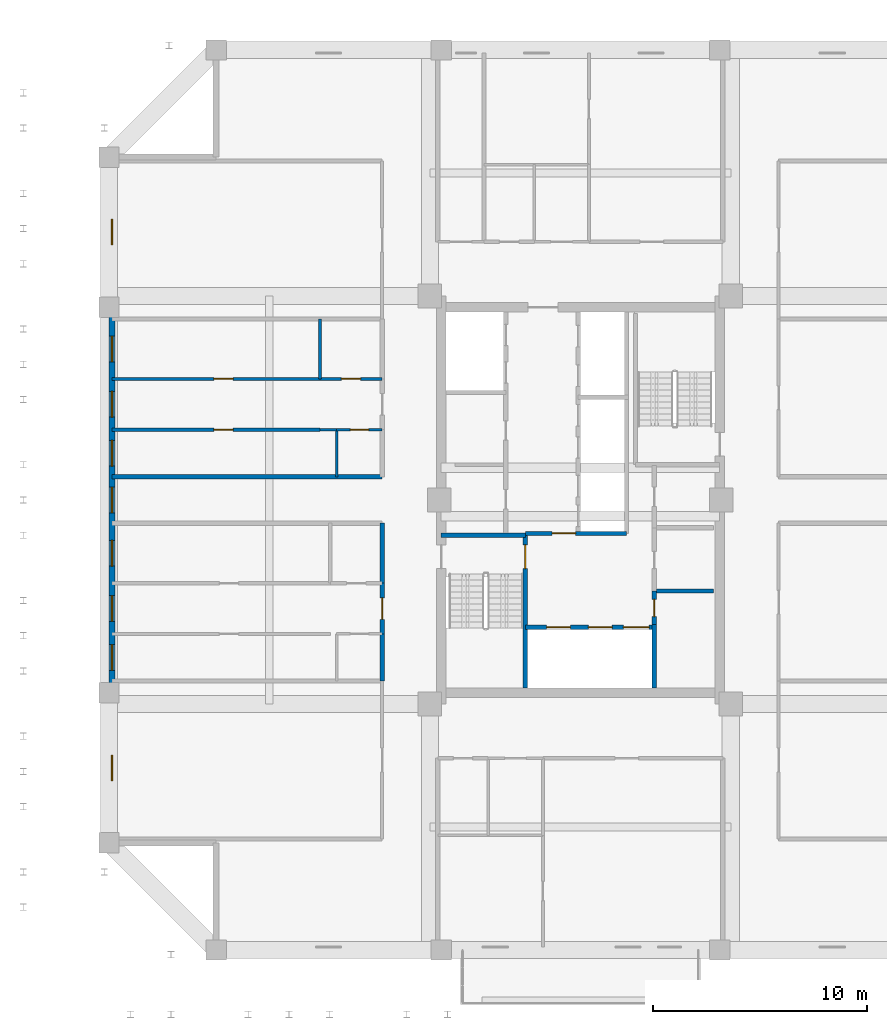
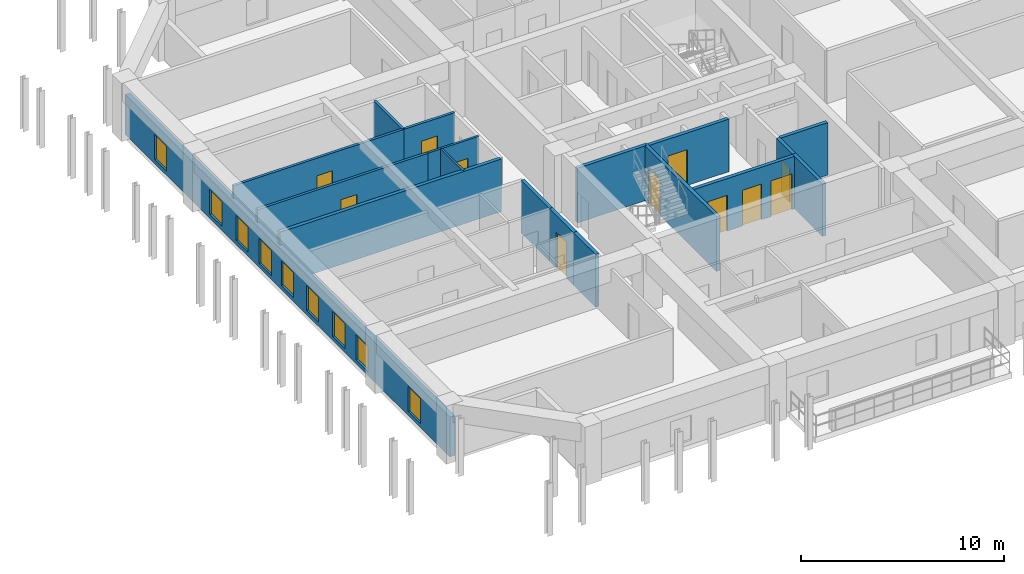
# One storey, part 8 of 13: 19 walls, 11 doors, 9 windows, 20 openings.
"""IFC4 building model written with IfcOpenShell, lengths in metres."""

from ifc_helpers import new_model, si_unit, direction, frame, frame_2d, origin, place, context, subcontext, project, spatial, rectangle, extrude, source, transform, mapped, material, layer, layer_set, type_object, element, fill, save


model = new_model("IFC4")

# Units and contexts
model_context = context("Model", 3, precision=1e-05, world=origin(), true_north=direction((0.0, 1.0)))
body_context = subcontext(model_context, "Body", "Model", "MODEL_VIEW")
ifc_project = project(units=[si_unit("LENGTHUNIT", "METRE"), si_unit("AREAUNIT", "SQUARE_METRE"), si_unit("VOLUMEUNIT", "CUBIC_METRE"), si_unit("PLANEANGLEUNIT", "RADIAN"), si_unit("MASSUNIT", "GRAM", prefix="KILO")], contexts=[model_context])

# Site, building, storey
site_placement = place(None, origin())
site = spatial("IfcSite", under=ifc_project, at=site_placement, CompositionType="ELEMENT")
building_placement = place(site_placement, origin())
building = spatial("IfcBuilding", under=site, at=building_placement, Name="Saelheon Loggia Tower", CompositionType="ELEMENT")
storey_placement = place(building_placement, frame((0.0, 0.0, 148.699951171875)))
storey = spatial("IfcBuildingStorey", under=building, at=storey_placement, Name="L47", CompositionType="ELEMENT", Elevation=148.699951171875)

# Wall, openings, windows
ifc_material_1 = material(Name="Architectural Precast Concrete C40/50", Category="concrete")
ifc_layer_1 = layer(ifc_material_1, 0.280029296875)
ifc_layer_set_1 = layer_set([ifc_layer_1], Name="Architectural Precast Concrete C40/50")
wall_type_1 = type_object("IfcWallType", Name="Wall_Ext_Loggia_280", PredefinedType="SOLIDWALL", material=ifc_layer_set_1)
wall_1_placement = place(storey_placement, frame((16.139892578125, 11.0, 0.0), z_axis=(0.0, 0.0, 1.0), x_axis=(0.0, 1.0, 0.0)))
wall_1 = element("IfcWall", 1, at=wall_1_placement, inside=storey, type_object=wall_type_1, Name="L47 West Loggia Inner Wall", PredefinedType="SOLIDWALL", context=body_context, shape_type="SweptSolid", body=[
    extrude(rectangle(XDim=32.0, YDim=0.280029296875, at=frame_2d((16.0, 0.0))), origin(), (0.0, 0.0, 1.0), 2.39013671875),
])
opening_1_placement = place(wall_1_placement, frame((2.89990234375, 0.0, 0.25)))
opening_1 = element("IfcOpeningElement", 2, at=opening_1_placement, cuts=wall_1, Name="Opening WN-03", PredefinedType="OPENING", context=body_context, shape_type="SweptSolid", body=[
    extrude(rectangle(XDim=1.199951171875, YDim=1.5, at=frame_2d((0.60009765625, 0.75))), frame((0.0, 0.152099609375, 0.0), z_axis=(0.0, -1.0, 0.0), x_axis=(1.0, 0.0, 0.0)), (0.0, 0.0, 1.0), 0.303955078125),
])
opening_2_placement = place(wall_1_placement, frame((8.050048828125, 0.0, 0.25)))
opening_2 = element("IfcOpeningElement", 3, at=opening_2_placement, cuts=wall_1, Name="Opening WN-03", PredefinedType="OPENING", context=body_context, shape_type="SweptSolid", body=[
    extrude(rectangle(XDim=1.199951171875, YDim=1.5, at=frame_2d((0.60009765625, 0.75))), frame((0.0, 0.152099609375, 0.0), z_axis=(0.0, -1.0, 0.0), x_axis=(1.0, 0.0, 0.0)), (0.0, 0.0, 1.0), 0.303955078125),
])
opening_3_placement = place(wall_1_placement, frame((10.334716796875, 0.0, 0.25)))
opening_3 = element("IfcOpeningElement", 4, at=opening_3_placement, cuts=wall_1, Name="Opening WN-03", PredefinedType="OPENING", context=body_context, shape_type="SweptSolid", body=[
    extrude(rectangle(XDim=1.199951171875, YDim=1.5, at=frame_2d((0.60009765625, 0.75))), frame((0.0, 0.152099609375, 0.0), z_axis=(0.0, -1.0, 0.0), x_axis=(1.0, 0.0, 0.0)), (0.0, 0.0, 1.0), 0.303955078125),
])
opening_4_placement = place(wall_1_placement, frame((12.919677734375, 0.0, 0.25)))
opening_4 = element("IfcOpeningElement", 5, at=opening_4_placement, cuts=wall_1, Name="Opening WN-03", PredefinedType="OPENING", context=body_context, shape_type="SweptSolid", body=[
    extrude(rectangle(XDim=1.199951171875, YDim=1.5, at=frame_2d((0.60009765625, 0.75))), frame((0.0, 0.152099609375, 0.0), z_axis=(0.0, -1.0, 0.0), x_axis=(1.0, 0.0, 0.0)), (0.0, 0.0, 1.0), 0.303955078125),
])
opening_5_placement = place(wall_1_placement, frame((15.39990234375, 0.0, 0.25)))
opening_5 = element("IfcOpeningElement", 6, at=opening_5_placement, cuts=wall_1, Name="Opening WN-03", PredefinedType="OPENING", context=body_context, shape_type="SweptSolid", body=[
    extrude(rectangle(XDim=1.199951171875, YDim=1.5, at=frame_2d((0.60009765625, 0.75))), frame((0.0, 0.152099609375, 0.0), z_axis=(0.0, -1.0, 0.0), x_axis=(1.0, 0.0, 0.0)), (0.0, 0.0, 1.0), 0.303955078125),
])
opening_6_placement = place(wall_1_placement, frame((17.580078125, 0.0, 0.25)))
opening_6 = element("IfcOpeningElement", 7, at=opening_6_placement, cuts=wall_1, Name="Opening WN-03", PredefinedType="OPENING", context=body_context, shape_type="SweptSolid", body=[
    extrude(rectangle(XDim=1.199951171875, YDim=1.5, at=frame_2d((0.60009765625, 0.75))), frame((0.0, 0.152099609375, 0.0), z_axis=(0.0, -1.0, 0.0), x_axis=(1.0, 0.0, 0.0)), (0.0, 0.0, 1.0), 0.303955078125),
])
opening_7_placement = place(wall_1_placement, frame((19.86474609375, 0.0, 0.25)))
opening_7 = element("IfcOpeningElement", 8, at=opening_7_placement, cuts=wall_1, Name="Opening WN-03", PredefinedType="OPENING", context=body_context, shape_type="SweptSolid", body=[
    extrude(rectangle(XDim=1.199951171875, YDim=1.5, at=frame_2d((0.60009765625, 0.75))), frame((0.0, 0.152099609375, 0.0), z_axis=(0.0, -1.0, 0.0), x_axis=(1.0, 0.0, 0.0)), (0.0, 0.0, 1.0), 0.303955078125),
])
opening_8_placement = place(wall_1_placement, frame((22.44970703125, 0.0, 0.25)))
opening_8 = element("IfcOpeningElement", 9, at=opening_8_placement, cuts=wall_1, Name="Opening WN-03", PredefinedType="OPENING", context=body_context, shape_type="SweptSolid", body=[
    extrude(rectangle(XDim=1.199951171875, YDim=1.5, at=frame_2d((0.60009765625, 0.75))), frame((0.0, 0.152099609375, 0.0), z_axis=(0.0, -1.0, 0.0), x_axis=(1.0, 0.0, 0.0)), (0.0, 0.0, 1.0), 0.303955078125),
])
opening_9_placement = place(wall_1_placement, frame((27.89990234375, 0.0, 0.25)))
opening_9 = element("IfcOpeningElement", 10, at=opening_9_placement, cuts=wall_1, Name="Opening WN-03", PredefinedType="OPENING", context=body_context, shape_type="SweptSolid", body=[
    extrude(rectangle(XDim=1.199951171875, YDim=1.5, at=frame_2d((0.60009765625, 0.75))), frame((0.0, 0.152099609375, 0.0), z_axis=(0.0, -1.0, 0.0), x_axis=(1.0, 0.0, 0.0)), (0.0, 0.0, 1.0), 0.303955078125),
])
ifc_material_2 = material(Name="Thermal-Break Aluminium and Triple Low-E Glass", Category="aluminium")
window_type = type_object("IfcWindowType", Name="Win_Bedroom_1200x1500", PartitioningType="SINGLE_PANEL", PredefinedType="WINDOW", material=ifc_material_2)
shared_shape_1 = source(origin(), body_context, "Body", "SweptSolid", [
    extrude(rectangle(XDim=1.199951171875, YDim=1.5, at=frame_2d((0.60009765625, 0.75))), frame((0.0, 0.030029296875, 0.0), z_axis=(0.0, -1.0, 0.0), x_axis=(1.0, 0.0, 0.0)), (0.0, 0.0, 1.0), 0.06005859375),
])
window_1_placement = place(opening_1_placement, origin())
window_1 = element("IfcWindow", 11, at=window_1_placement, inside=storey, type_object=window_type, Name="L47 W Dwelling Window 1", OverallHeight=1.5, OverallWidth=1.199951171875, PartitioningType="SINGLE_PANEL", PredefinedType="WINDOW", context=body_context, shape_type="MappedRepresentation", body=[
    mapped(shared_shape_1, transform((0.0, 0.0, 0.0), scale=1.0)),
])
fill(opening_1, window_1)
window_2_placement = place(opening_2_placement, origin())
window_2 = element("IfcWindow", 12, at=window_2_placement, inside=storey, type_object=window_type, Name="L47 W Dwelling Window 2", OverallHeight=1.5, OverallWidth=1.199951171875, PartitioningType="SINGLE_PANEL", PredefinedType="WINDOW", context=body_context, shape_type="MappedRepresentation", body=[
    mapped(shared_shape_1, transform((0.0, 0.0, 0.0), scale=1.0)),
])
fill(opening_2, window_2)
window_3_placement = place(opening_3_placement, origin())
window_3 = element("IfcWindow", 13, at=window_3_placement, inside=storey, type_object=window_type, Name="L47 W Dwelling Window 3", OverallHeight=1.5, OverallWidth=1.199951171875, PartitioningType="SINGLE_PANEL", PredefinedType="WINDOW", context=body_context, shape_type="MappedRepresentation", body=[
    mapped(shared_shape_1, transform((0.0, 0.0, 0.0), scale=1.0)),
])
fill(opening_3, window_3)
window_4_placement = place(opening_4_placement, origin())
window_4 = element("IfcWindow", 14, at=window_4_placement, inside=storey, type_object=window_type, Name="L47 W Dwelling Window 4", OverallHeight=1.5, OverallWidth=1.199951171875, PartitioningType="SINGLE_PANEL", PredefinedType="WINDOW", context=body_context, shape_type="MappedRepresentation", body=[
    mapped(shared_shape_1, transform((0.0, 0.0, 0.0), scale=1.0)),
])
fill(opening_4, window_4)
window_5_placement = place(opening_5_placement, origin())
window_5 = element("IfcWindow", 15, at=window_5_placement, inside=storey, type_object=window_type, Name="L47 W Dwelling Window 5", OverallHeight=1.5, OverallWidth=1.199951171875, PartitioningType="SINGLE_PANEL", PredefinedType="WINDOW", context=body_context, shape_type="MappedRepresentation", body=[
    mapped(shared_shape_1, transform((0.0, 0.0, 0.0), scale=1.0)),
])
fill(opening_5, window_5)
window_6_placement = place(opening_6_placement, origin())
window_6 = element("IfcWindow", 16, at=window_6_placement, inside=storey, type_object=window_type, Name="L47 W Dwelling Window 6", OverallHeight=1.5, OverallWidth=1.199951171875, PartitioningType="SINGLE_PANEL", PredefinedType="WINDOW", context=body_context, shape_type="MappedRepresentation", body=[
    mapped(shared_shape_1, transform((0.0, 0.0, 0.0), scale=1.0)),
])
fill(opening_6, window_6)
window_7_placement = place(opening_7_placement, origin())
window_7 = element("IfcWindow", 17, at=window_7_placement, inside=storey, type_object=window_type, Name="L47 W Dwelling Window 7", OverallHeight=1.5, OverallWidth=1.199951171875, PartitioningType="SINGLE_PANEL", PredefinedType="WINDOW", context=body_context, shape_type="MappedRepresentation", body=[
    mapped(shared_shape_1, transform((0.0, 0.0, 0.0), scale=1.0)),
])
fill(opening_7, window_7)
window_8_placement = place(opening_8_placement, origin())
window_8 = element("IfcWindow", 18, at=window_8_placement, inside=storey, type_object=window_type, Name="L47 W Dwelling Window 8", OverallHeight=1.5, OverallWidth=1.199951171875, PartitioningType="SINGLE_PANEL", PredefinedType="WINDOW", context=body_context, shape_type="MappedRepresentation", body=[
    mapped(shared_shape_1, transform((0.0, 0.0, 0.0), scale=1.0)),
])
fill(opening_8, window_8)
window_9_placement = place(opening_9_placement, origin())
window_9 = element("IfcWindow", 19, at=window_9_placement, inside=storey, type_object=window_type, Name="L47 W Dwelling Window 9", OverallHeight=1.5, OverallWidth=1.199951171875, PartitioningType="SINGLE_PANEL", PredefinedType="WINDOW", context=body_context, shape_type="MappedRepresentation", body=[
    mapped(shared_shape_1, transform((0.0, 0.0, 0.0), scale=1.0)),
])
fill(opening_9, window_9)

# Wall
ifc_material_3 = material(Name="Lightweight Autoclaved Aerated Concrete Block and Acoustic Gypsum", Category="concrete")
ifc_layer_2 = layer(ifc_material_3, 0.14990234375)
ifc_layer_set_2 = layer_set([ifc_layer_2], Name="Lightweight Autoclaved Aerated Concrete Block and Acoustic Gypsum")
wall_type_2 = type_object("IfcWallType", Name="Wall_Part_150", PredefinedType="PARTITIONING", material=ifc_layer_set_2)
wall_2_placement = place(storey_placement, frame((25.85009765625, 32.6494140625, 0.0), z_axis=(0.0, 0.0, 1.0), x_axis=(0.0, 1.0, 0.0)))
element("IfcWall", 20, at=wall_2_placement, inside=storey, type_object=wall_type_2, Name="L47 WN Partition V07", PredefinedType="PARTITIONING", context=body_context, shape_type="SweptSolid", body=[
    extrude(rectangle(XDim=2.800537109375, YDim=0.14990234375, at=frame_2d((1.400390625, 0.0))), origin(), (0.0, 0.0, 1.0), 3.16015625),
])

# Wall, opening, door
wall_3_placement = place(storey_placement, frame((25.85009765625, 30.280029296875, 0.0), z_axis=(0.0, 0.0, 1.0), x_axis=(-1.0, 0.0, 0.0)))
wall_3 = element("IfcWall", 21, at=wall_3_placement, inside=storey, type_object=wall_type_2, Name="L47 WN Partition U10", PredefinedType="PARTITIONING", context=body_context, shape_type="SweptSolid", body=[
    extrude(rectangle(XDim=9.7001953125, YDim=0.14990234375, at=frame_2d((4.85009765625, 0.0))), origin(), (0.0, 0.0, 1.0), 3.16015625),
])
opening_10_placement = place(wall_3_placement, frame((4.05322265625, 0.0, 0.0)))
opening_10 = element("IfcOpeningElement", 22, at=opening_10_placement, cuts=wall_3, Name="Opening D-IN2", PredefinedType="OPENING", context=body_context, shape_type="SweptSolid", body=[
    extrude(rectangle(XDim=0.89990234375, YDim=2.10009765625, at=frame_2d((0.449951171875, 1.050048828125))), frame((0.0, 0.0869140625, 0.0), z_axis=(0.0, -1.0, 0.0), x_axis=(1.0, 0.0, 0.0)), (0.0, 0.0, 1.0), 0.173828125),
])
ifc_material_4 = material(Name="Engineered Oak Flush Door", Category="timber")
door_type_1 = type_object("IfcDoorType", Name="Door_Int_900", OperationType="NOTDEFINED", PredefinedType="DOOR", material=ifc_material_4)
shared_shape_2 = source(origin(), body_context, "Body", "SweptSolid", [
    extrude(rectangle(XDim=0.89990234375, YDim=2.10009765625, at=frame_2d((0.449951171875, 1.050048828125))), frame((0.0, 0.02490234375, 0.0), z_axis=(0.0, -1.0, 0.0), x_axis=(1.0, 0.0, 0.0)), (0.0, 0.0, 1.0), 0.050048828125),
])
door_1_placement = place(opening_10_placement, origin())
door_1 = element("IfcDoor", 23, at=door_1_placement, inside=storey, type_object=door_type_1, Name="Unit U02 Kitchen Door", OperationType="SINGLE_SWING_LEFT", OverallHeight=2.10009765625, OverallWidth=0.89990234375, PredefinedType="DOOR", context=body_context, shape_type="MappedRepresentation", body=[
    mapped(shared_shape_2, transform((0.0, 0.0, 0.0), scale=1.0)),
])
fill(opening_10, door_1)

wall_4_placement = place(storey_placement, frame((28.75, 32.6494140625, 0.0), z_axis=(0.0, 0.0, 1.0), x_axis=(-1.0, 0.0, 0.0)))
wall_4 = element("IfcWall", 24, at=wall_4_placement, inside=storey, type_object=wall_type_2, Name="L47 WN Partition U11", PredefinedType="PARTITIONING", context=body_context, shape_type="SweptSolid", body=[
    extrude(rectangle(XDim=2.89990234375, YDim=0.14990234375, at=frame_2d((1.449951171875, 0.0))), origin(), (0.0, 0.0, 1.0), 3.16015625),
])
opening_11_placement = place(wall_4_placement, frame((1.0, 0.0, 0.0)))
opening_11 = element("IfcOpeningElement", 25, at=opening_11_placement, cuts=wall_4, Name="Opening D-IN2", PredefinedType="OPENING", context=body_context, shape_type="SweptSolid", body=[
    extrude(rectangle(XDim=0.89990234375, YDim=2.10009765625, at=frame_2d((0.449951171875, 1.050048828125))), frame((0.0, 0.0869140625, 0.0), z_axis=(0.0, -1.0, 0.0), x_axis=(1.0, 0.0, 0.0)), (0.0, 0.0, 1.0), 0.173828125),
])
door_2_placement = place(opening_11_placement, origin())
door_2 = element("IfcDoor", 26, at=door_2_placement, inside=storey, type_object=door_type_1, Name="Unit U02 Dressing Closet Door", OperationType="SINGLE_SWING_RIGHT", OverallHeight=2.10009765625, OverallWidth=0.89990234375, PredefinedType="DOOR", context=body_context, shape_type="MappedRepresentation", body=[
    mapped(shared_shape_2, transform((0.0, 0.0, 0.0), scale=1.0)),
])
fill(opening_11, door_2)

wall_5_placement = place(storey_placement, frame((25.85009765625, 32.6494140625, 0.0), z_axis=(0.0, 0.0, 1.0), x_axis=(-1.0, 0.0, 0.0)))
wall_5 = element("IfcWall", 27, at=wall_5_placement, inside=storey, type_object=wall_type_2, Name="L47 WN Partition U12", PredefinedType="PARTITIONING", context=body_context, shape_type="SweptSolid", body=[
    extrude(rectangle(XDim=9.7001953125, YDim=0.14990234375, at=frame_2d((4.85009765625, 0.0))), origin(), (0.0, 0.0, 1.0), 3.16015625),
])
opening_12_placement = place(wall_5_placement, frame((4.05322265625, 0.0, 0.0)))
opening_12 = element("IfcOpeningElement", 28, at=opening_12_placement, cuts=wall_5, Name="Opening D-IN2", PredefinedType="OPENING", context=body_context, shape_type="SweptSolid", body=[
    extrude(rectangle(XDim=0.89990234375, YDim=2.10009765625, at=frame_2d((0.449951171875, 1.050048828125))), frame((0.0, 0.0869140625, 0.0), z_axis=(0.0, -1.0, 0.0), x_axis=(1.0, 0.0, 0.0)), (0.0, 0.0, 1.0), 0.173828125),
])
door_3_placement = place(opening_12_placement, origin())
door_3 = element("IfcDoor", 29, at=door_3_placement, inside=storey, type_object=door_type_1, Name="Unit U02 Bedroom 1 Door", OperationType="SINGLE_SWING_LEFT", OverallHeight=2.10009765625, OverallWidth=0.89990234375, PredefinedType="DOOR", context=body_context, shape_type="MappedRepresentation", body=[
    mapped(shared_shape_2, transform((0.0, 0.0, 0.0), scale=1.0)),
])
fill(opening_12, door_3)

# Wall
ifc_material_5 = material(Name="Double Acoustic Stud and Fireboard Partition", Category="gypsum")
ifc_layer_3 = layer(ifc_material_5, 0.199951171875)
ifc_layer_set_3 = layer_set([ifc_layer_3], Name="Double Acoustic Stud and Fireboard Partition")
wall_type_3 = type_object("IfcWallType", Name="Wall_Party_200", PredefinedType="PARTITIONING", material=ifc_layer_set_3)
wall_6_placement = place(storey_placement, frame((28.75, 18.550048828125, 0.0), z_axis=(0.0, 0.0, 1.0), x_axis=(0.0, 1.0, 0.0)))
element("IfcWall", 30, at=wall_6_placement, inside=storey, type_object=wall_type_3, Name="L47 WS Partition V05", PredefinedType="PARTITIONING", context=body_context, shape_type="SweptSolid", body=[
    extrude(rectangle(XDim=2.199951171875, YDim=0.199951171875, at=frame_2d((1.10009765625, 0.0))), origin(), (0.0, 0.0, 1.0), 3.16015625),
])

# Wall, opening, door
wall_7_placement = place(storey_placement, frame((28.75, 20.75, 0.0), z_axis=(0.0, 0.0, 1.0), x_axis=(0.0, 1.0, 0.0)))
wall_7 = element("IfcWall", 31, at=wall_7_placement, inside=storey, type_object=wall_type_3, Name="L47 WS Partition V06", PredefinedType="PARTITIONING", context=body_context, shape_type="SweptSolid", body=[
    extrude(rectangle(XDim=2.369384765625, YDim=0.199951171875, at=frame_2d((1.1845703125, 0.0))), origin(), (0.0, 0.0, 1.0), 3.16015625),
])
opening_13_placement = place(wall_7_placement, frame((0.684814453125, 0.0, 0.0)))
opening_13 = element("IfcOpeningElement", 32, at=opening_13_placement, cuts=wall_7, Name="Opening D-FD1", PredefinedType="OPENING", context=body_context, shape_type="SweptSolid", body=[
    extrude(rectangle(XDim=1.0, YDim=2.14990234375, at=frame_2d((0.5, 1.074951171875))), frame((0.0, 0.112060546875, 0.0), z_axis=(0.0, -1.0, 0.0), x_axis=(1.0, 0.0, 0.0)), (0.0, 0.0, 1.0), 0.223876953125),
])
ifc_material_6 = material(Name="Fire-Rated Engineered Timber Entrance Door", Category="wood")
door_type_2 = type_object("IfcDoorType", Name="Door_Flat_FD30S", OperationType="NOTDEFINED", PredefinedType="DOOR", material=ifc_material_6)
shared_shape_3 = source(origin(), body_context, "Body", "SweptSolid", [
    extrude(rectangle(XDim=1.0, YDim=2.14990234375, at=frame_2d((0.5, 1.074951171875))), frame((0.0, 0.02490234375, 0.0), z_axis=(0.0, -1.0, 0.0), x_axis=(1.0, 0.0, 0.0)), (0.0, 0.0, 1.0), 0.050048828125),
])
door_4_placement = place(opening_13_placement, origin())
door_4 = element("IfcDoor", 33, at=door_4_placement, inside=storey, type_object=door_type_2, Name="Unit U01 Entrance Door", OperationType="SINGLE_SWING_RIGHT", OverallHeight=2.14990234375, OverallWidth=1.0, PredefinedType="DOOR", context=body_context, shape_type="MappedRepresentation", body=[
    mapped(shared_shape_3, transform((0.0, 0.0, 0.0), scale=1.0)),
])
fill(opening_13, door_4)

# Walls
wall_8_placement = place(storey_placement, frame((28.75, 23.119384765625, 0.0), z_axis=(0.0, 0.0, 1.0), x_axis=(0.0, 1.0, 0.0)))
element("IfcWall", 34, at=wall_8_placement, inside=storey, type_object=wall_type_3, Name="L47 WS Partition V07", PredefinedType="PARTITIONING", context=body_context, shape_type="SweptSolid", body=[
    extrude(rectangle(XDim=2.800537109375, YDim=0.199951171875, at=frame_2d((1.400390625, 0.0))), origin(), (0.0, 0.0, 1.0), 3.16015625),
])
wall_9_placement = place(storey_placement, frame((28.75, 28.080078125, 0.0), z_axis=(0.0, 0.0, 1.0), x_axis=(-1.0, 0.0, 0.0)))
element("IfcWall", 35, at=wall_9_placement, inside=storey, type_object=wall_type_3, Name="L47 WN Partition U01", PredefinedType="PARTITIONING", context=body_context, shape_type="SweptSolid", body=[
    extrude(rectangle(XDim=12.60009765625, YDim=0.199951171875, at=frame_2d((6.300048828125, 0.0))), origin(), (0.0, 0.0, 1.0), 3.16015625),
])
ifc_material_7 = material(Name="Concrete C40/50", Category="concrete")
ifc_layer_4 = layer(ifc_material_7, 0.199951171875)
ifc_layer_set_4 = layer_set([ifc_layer_4], Name="Concrete C40/50")
wall_type_4 = type_object("IfcWallType", Name="Wall_Shaft_200", PredefinedType="PARTITIONING", material=ifc_layer_set_4)
wall_10_placement = place(storey_placement, frame((41.550048828125, 22.75, 0.0), z_axis=(0.0, 0.0, 1.0), x_axis=(1.0, 0.0, 0.0)))
element("IfcWall", 36, at=wall_10_placement, inside=storey, type_object=wall_type_4, Name="CW-BOH-L47-H1", PredefinedType="PARTITIONING", context=body_context, shape_type="SweptSolid", body=[
    extrude(rectangle(XDim=2.669921875, YDim=0.199951171875, at=frame_2d((1.3349609375, 0.0))), origin(), (0.0, 0.0, 1.0), 3.16015625),
])
wall_11_placement = place(storey_placement, frame((41.449951171875, 18.219970703125, 0.0), z_axis=(0.0, 0.0, 1.0), x_axis=(0.0, 1.0, 0.0)))
element("IfcWall", 37, at=wall_11_placement, inside=storey, type_object=wall_type_4, Name="CW-INT-L47-BOH-W0", PredefinedType="PARTITIONING", context=body_context, shape_type="SweptSolid", body=[
    extrude(rectangle(XDim=2.9599609375, YDim=0.199951171875, at=frame_2d((1.47998046875, 0.0))), origin(), (0.0, 0.0, 1.0), 3.16015625),
])

# Wall, opening, door
wall_12_placement = place(storey_placement, frame((41.449951171875, 21.179931640625, 0.0), z_axis=(0.0, 0.0, 1.0), x_axis=(0.0, 1.0, 0.0)))
wall_12 = element("IfcWall", 38, at=wall_12_placement, inside=storey, type_object=wall_type_4, Name="CW-INT-L47-BOH-W1", PredefinedType="PARTITIONING", context=body_context, shape_type="SweptSolid", body=[
    extrude(rectangle(XDim=1.570068359375, YDim=0.199951171875, at=frame_2d((0.78515625, 0.0))), origin(), (0.0, 0.0, 1.0), 3.16015625),
])
opening_14_placement = place(wall_12_placement, frame((0.3798828125, 0.0, 0.0)))
opening_14 = element("IfcOpeningElement", 39, at=opening_14_placement, cuts=wall_12, Name="Opening D-ST1", PredefinedType="OPENING", context=body_context, shape_type="SweptSolid", body=[
    extrude(rectangle(XDim=0.800048828125, YDim=2.050048828125, at=frame_2d((0.39990234375, 1.02490234375))), frame((0.0, 0.112060546875, 0.0), z_axis=(0.0, -1.0, 0.0), x_axis=(1.0, 0.0, 0.0)), (0.0, 0.0, 1.0), 0.223876953125),
])
ifc_material_8 = material(Name="Powder-Coated Steel Store Door", Category="steel")
door_type_3 = type_object("IfcDoorType", Name="Door_Store_800", OperationType="NOTDEFINED", PredefinedType="DOOR", material=ifc_material_8)
shared_shape_4 = source(origin(), body_context, "Body", "SweptSolid", [
    extrude(rectangle(XDim=0.800048828125, YDim=2.050048828125, at=frame_2d((0.39990234375, 1.02490234375))), frame((0.0, 0.02490234375, 0.0), z_axis=(0.0, -1.0, 0.0), x_axis=(1.0, 0.0, 0.0)), (0.0, 0.0, 1.0), 0.050048828125),
])
door_5_placement = place(opening_14_placement, origin())
door_5 = element("IfcDoor", 40, at=door_5_placement, inside=storey, type_object=door_type_3, Name="L47 Cleaner Store Door", OperationType="SINGLE_SWING_LEFT", OverallHeight=2.050048828125, OverallWidth=0.800048828125, PredefinedType="DOOR", context=body_context, shape_type="MappedRepresentation", body=[
    mapped(shared_shape_4, transform((0.0, 0.0, 0.0), scale=1.0)),
])
fill(opening_14, door_5)

# Wall, openings, doors
wall_13_placement = place(storey_placement, frame((35.429931640625, 21.06005859375, 0.0), z_axis=(0.0, 0.0, 1.0), x_axis=(1.0, 0.0, 0.0)))
wall_13 = element("IfcWall", 41, at=wall_13_placement, inside=storey, type_object=wall_type_4, Name="L47 Firefighting Lift Shaft Front Wall", PredefinedType="PARTITIONING", context=body_context, shape_type="SweptSolid", body=[
    extrude(rectangle(XDim=6.02001953125, YDim=0.199951171875, at=frame_2d((3.010009765625, 0.0))), origin(), (0.0, 0.0, 1.0), 3.16015625),
])
opening_15_placement = place(wall_13_placement, frame((1.0, 0.0, 0.0)))
opening_15 = element("IfcOpeningElement", 42, at=opening_15_placement, cuts=wall_13, Name="Opening LD2", PredefinedType="OPENING", context=body_context, shape_type="SweptSolid", body=[
    extrude(rectangle(XDim=1.10009765625, YDim=2.14990234375, at=frame_2d((0.550048828125, 1.074951171875))), frame((0.0, 0.112060546875, 0.0), z_axis=(0.0, -1.0, 0.0), x_axis=(1.0, 0.0, 0.0)), (0.0, 0.0, 1.0), 0.223876953125),
])
opening_16_placement = place(wall_13_placement, frame((2.949951171875, 0.0, 0.0)))
opening_16 = element("IfcOpeningElement", 43, at=opening_16_placement, cuts=wall_13, Name="Opening LD2", PredefinedType="OPENING", context=body_context, shape_type="SweptSolid", body=[
    extrude(rectangle(XDim=1.10009765625, YDim=2.14990234375, at=frame_2d((0.550048828125, 1.074951171875))), frame((0.0, 0.112060546875, 0.0), z_axis=(0.0, -1.0, 0.0), x_axis=(1.0, 0.0, 0.0)), (0.0, 0.0, 1.0), 0.223876953125),
])
opening_17_placement = place(wall_13_placement, frame((4.580078125, 0.0, 0.0)))
opening_17 = element("IfcOpeningElement", 44, at=opening_17_placement, cuts=wall_13, Name="Opening LD3", PredefinedType="OPENING", context=body_context, shape_type="SweptSolid", body=[
    extrude(rectangle(XDim=1.199951171875, YDim=2.14990234375, at=frame_2d((0.60009765625, 1.074951171875))), frame((0.0, 0.112060546875, 0.0), z_axis=(0.0, -1.0, 0.0), x_axis=(1.0, 0.0, 0.0)), (0.0, 0.0, 1.0), 0.223876953125),
])
ifc_material_9 = material(Name="Firefighting Stainless Steel 316 Landing Door", Category="steel")
door_type_4 = type_object("IfcDoorType", Name="Door_Lift_LD2", OperationType="DOUBLE_DOOR_SLIDING", PredefinedType="DOOR", material=ifc_material_9)
shared_shape_5 = source(origin(), body_context, "Body", "SweptSolid", [
    extrude(rectangle(XDim=1.10009765625, YDim=2.14990234375, at=frame_2d((0.550048828125, 1.074951171875))), frame((0.0, 0.02490234375, 0.0), z_axis=(0.0, -1.0, 0.0), x_axis=(1.0, 0.0, 0.0)), (0.0, 0.0, 1.0), 0.050048828125),
])
door_6_placement = place(opening_15_placement, origin())
door_6 = element("IfcDoor", 45, at=door_6_placement, inside=storey, type_object=door_type_4, Name="L47 FF1 Landing Door", OperationType="DOUBLE_DOOR_SLIDING", OverallHeight=2.14990234375, OverallWidth=1.10009765625, PredefinedType="DOOR", context=body_context, shape_type="MappedRepresentation", body=[
    mapped(shared_shape_5, transform((0.0, 0.0, 0.0), scale=1.0)),
])
fill(opening_15, door_6)
door_7_placement = place(opening_16_placement, origin())
door_7 = element("IfcDoor", 46, at=door_7_placement, inside=storey, type_object=door_type_4, Name="L47 FF2 Landing Door", OperationType="DOUBLE_DOOR_SLIDING", OverallHeight=2.14990234375, OverallWidth=1.10009765625, PredefinedType="DOOR", context=body_context, shape_type="MappedRepresentation", body=[
    mapped(shared_shape_5, transform((0.0, 0.0, 0.0), scale=1.0)),
])
fill(opening_16, door_7)
ifc_material_10 = material(Name="Stretcher Lift Stainless Steel 304 Landing Door", Category="steel")
door_type_5 = type_object("IfcDoorType", Name="Door_Lift_LD3", OperationType="DOUBLE_DOOR_SLIDING", PredefinedType="DOOR", material=ifc_material_10)
shared_shape_6 = source(origin(), body_context, "Body", "SweptSolid", [
    extrude(rectangle(XDim=1.199951171875, YDim=2.14990234375, at=frame_2d((0.60009765625, 1.074951171875))), frame((0.0, 0.02490234375, 0.0), z_axis=(0.0, -1.0, 0.0), x_axis=(1.0, 0.0, 0.0)), (0.0, 0.0, 1.0), 0.050048828125),
])
door_8_placement = place(opening_17_placement, origin())
door_8 = element("IfcDoor", 47, at=door_8_placement, inside=storey, type_object=door_type_5, Name="L47 SV1 Landing Door", OperationType="DOUBLE_DOOR_SLIDING", OverallHeight=2.14990234375, OverallWidth=1.199951171875, PredefinedType="DOOR", context=body_context, shape_type="MappedRepresentation", body=[
    mapped(shared_shape_6, transform((0.0, 0.0, 0.0), scale=1.0)),
])
fill(opening_17, door_8)

# Wall, opening, door
wall_14_placement = place(storey_placement, frame((35.429931640625, 25.43994140625, 0.0), z_axis=(0.0, 0.0, 1.0), x_axis=(1.0, 0.0, 0.0)))
wall_14 = element("IfcWall", 48, at=wall_14_placement, inside=storey, type_object=wall_type_4, Name="L47 Firefighting Lobby Compartment Wall", PredefinedType="PARTITIONING", context=body_context, shape_type="SweptSolid", body=[
    extrude(rectangle(XDim=4.719970703125, YDim=0.199951171875, at=frame_2d((2.35986328125, 0.0))), origin(), (0.0, 0.0, 1.0), 3.16015625),
])
opening_18_placement = place(wall_14_placement, frame((1.25, 0.0, 0.0)))
opening_18 = element("IfcOpeningElement", 49, at=opening_18_placement, cuts=wall_14, Name="Opening D-FD2", PredefinedType="OPENING", context=body_context, shape_type="SweptSolid", body=[
    extrude(rectangle(XDim=1.10009765625, YDim=2.14990234375, at=frame_2d((0.550048828125, 1.074951171875))), frame((0.0, 0.112060546875, 0.0), z_axis=(0.0, -1.0, 0.0), x_axis=(1.0, 0.0, 0.0)), (0.0, 0.0, 1.0), 0.223876953125),
])
ifc_material_11 = material(Name="Galvanised Steel Fire Door", Category="steel")
door_type_6 = type_object("IfcDoorType", Name="Door_Fire_FD60_1100", OperationType="NOTDEFINED", PredefinedType="DOOR", material=ifc_material_11)
door_9_placement = place(opening_18_placement, origin())
door_9 = element("IfcDoor", 50, at=door_9_placement, inside=storey, type_object=door_type_6, Name="L47 Firefighting Lobby Door", OperationType="SINGLE_SWING_RIGHT", OverallHeight=2.14990234375, OverallWidth=1.10009765625, PredefinedType="DOOR", context=body_context, shape_type="MappedRepresentation", body=[
    mapped(shared_shape_5, transform((0.0, 0.0, 0.0), scale=1.0)),
])
fill(opening_18, door_9)

ifc_material_12 = material(Name="Concrete C45/55", Category="concrete")
ifc_layer_5 = layer(ifc_material_12, 0.199951171875)
ifc_layer_set_5 = layer_set([ifc_layer_5], Name="Concrete C45/55")
wall_type_5 = type_object("IfcWallType", Name="Wall_StairShaft_RC200", PredefinedType="SOLIDWALL", material=ifc_layer_set_5)
wall_15_placement = place(storey_placement, frame((35.429931640625, 18.219970703125, 0.0), z_axis=(0.0, 0.0, 1.0), x_axis=(0.0, 1.0, 0.0)))
wall_15 = element("IfcWall", 51, at=wall_15_placement, inside=storey, type_object=wall_type_5, Name="L47 Stair ST1 Shaft Wall", PredefinedType="SOLIDWALL", context=body_context, shape_type="SweptSolid", body=[
    extrude(rectangle(XDim=7.219970703125, YDim=0.199951171875, at=frame_2d((3.60986328125, 0.0))), origin(), (0.0, 0.0, 1.0), 3.2900390625),
])
opening_19_placement = place(wall_15_placement, frame((6.68017578125, 0.0, 0.0), z_axis=(0.0, 0.0, 1.0), x_axis=(-1.0, 0.0, 0.0)))
opening_19 = element("IfcOpeningElement", 52, at=opening_19_placement, cuts=wall_15, Name="Opening D-FD2", PredefinedType="OPENING", context=body_context, shape_type="SweptSolid", body=[
    extrude(rectangle(XDim=1.10009765625, YDim=2.14990234375, at=frame_2d((0.550048828125, 1.074951171875))), frame((0.0, 0.112060546875, 0.0), z_axis=(0.0, -1.0, 0.0), x_axis=(1.0, 0.0, 0.0)), (0.0, 0.0, 1.0), 0.223876953125),
])
door_10_placement = place(opening_19_placement, origin())
door_10 = element("IfcDoor", 53, at=door_10_placement, inside=storey, type_object=door_type_6, Name="L47 Stair ST1 Lobby Door", OperationType="SINGLE_SWING_LEFT", OverallHeight=2.14990234375, OverallWidth=1.10009765625, PredefinedType="DOOR", context=body_context, shape_type="MappedRepresentation", body=[
    mapped(shared_shape_5, transform((0.0, 0.0, 0.0), scale=1.0)),
])
fill(opening_19, door_10)

# Walls
wall_16_placement = place(storey_placement, frame((31.5, 25.35009765625, 0.0), z_axis=(0.0, 0.0, 1.0), x_axis=(1.0, 0.0, 0.0)))
element("IfcWall", 54, at=wall_16_placement, inside=storey, type_object=wall_type_5, Name="L47 Stair ST1 North Wall", PredefinedType="SOLIDWALL", context=body_context, shape_type="SweptSolid", body=[
    extrude(rectangle(XDim=3.929931640625, YDim=0.199951171875, at=frame_2d((1.96484375, 0.0))), origin(), (0.0, 0.0, 1.0), 3.2900390625),
])
ifc_material_13 = material(Name="Moisture-Resistant Cement Board Partition", Category="gypsum")
ifc_layer_6 = layer(ifc_material_13, 0.1201171875)
ifc_layer_set_6 = layer_set([ifc_layer_6], Name="Moisture-Resistant Cement Board Partition")
wall_type_6 = type_object("IfcWallType", Name="Wall_WetPart_120", PredefinedType="PARTITIONING", material=ifc_layer_set_6)
wall_17_placement = place(storey_placement, frame((26.6298828125, 28.080078125, 0.0), z_axis=(0.0, 0.0, 1.0), x_axis=(0.0, 1.0, 0.0)))
element("IfcWall", 55, at=wall_17_placement, inside=storey, type_object=wall_type_6, Name="L47 WN Partition V06", PredefinedType="PARTITIONING", context=body_context, shape_type="SweptSolid", body=[
    extrude(rectangle(XDim=2.199951171875, YDim=0.1201171875, at=frame_2d((1.10009765625, 0.0))), origin(), (0.0, 0.0, 1.0), 3.16015625),
])

# Wall, opening, door
wall_18_placement = place(storey_placement, frame((28.75, 30.280029296875, 0.0), z_axis=(0.0, 0.0, 1.0), x_axis=(-1.0, 0.0, 0.0)))
wall_18 = element("IfcWall", 56, at=wall_18_placement, inside=storey, type_object=wall_type_6, Name="L47 WN Partition U08", PredefinedType="PARTITIONING", context=body_context, shape_type="SweptSolid", body=[
    extrude(rectangle(XDim=2.1201171875, YDim=0.1201171875, at=frame_2d((1.06005859375, 0.0))), origin(), (0.0, 0.0, 1.0), 3.16015625),
])
opening_20_placement = place(wall_18_placement, frame((0.635009765625, 0.0, 0.0)))
opening_20 = element("IfcOpeningElement", 57, at=opening_20_placement, cuts=wall_18, Name="Opening D-BT1", PredefinedType="OPENING", context=body_context, shape_type="SweptSolid", body=[
    extrude(rectangle(XDim=0.85009765625, YDim=2.050048828125, at=frame_2d((0.425048828125, 1.02490234375))), frame((0.0, 0.072021484375, 0.0), z_axis=(0.0, -1.0, 0.0), x_axis=(1.0, 0.0, 0.0)), (0.0, 0.0, 1.0), 0.14404296875),
])
ifc_material_14 = material(Name="Moisture-Resistant Laminate Timber Door", Category="wood")
door_type_7 = type_object("IfcDoorType", Name="Door_Bath_850", OperationType="NOTDEFINED", PredefinedType="DOOR", material=ifc_material_14)
shared_shape_7 = source(origin(), body_context, "Body", "SweptSolid", [
    extrude(rectangle(XDim=0.85009765625, YDim=2.050048828125, at=frame_2d((0.425048828125, 1.02490234375))), frame((0.0, 0.02490234375, 0.0), z_axis=(0.0, -1.0, 0.0), x_axis=(1.0, 0.0, 0.0)), (0.0, 0.0, 1.0), 0.050048828125),
])
door_11_placement = place(opening_20_placement, origin())
door_11 = element("IfcDoor", 58, at=door_11_placement, inside=storey, type_object=door_type_7, Name="Unit U02 Bathroom Door", OperationType="SINGLE_SWING_RIGHT", OverallHeight=2.050048828125, OverallWidth=0.85009765625, PredefinedType="DOOR", context=body_context, shape_type="MappedRepresentation", body=[
    mapped(shared_shape_7, transform((0.0, 0.0, 0.0), scale=1.0)),
])
fill(opening_20, door_11)

# Wall
wall_19_placement = place(storey_placement, frame((26.6298828125, 30.280029296875, 0.0), z_axis=(0.0, 0.0, 1.0), x_axis=(-1.0, 0.0, 0.0)))
element("IfcWall", 59, at=wall_19_placement, inside=storey, type_object=wall_type_6, Name="L47 WN Partition U09", PredefinedType="PARTITIONING", context=body_context, shape_type="SweptSolid", body=[
    extrude(rectangle(XDim=0.77978515625, YDim=0.1201171875, at=frame_2d((0.389892578125, 0.0))), origin(), (0.0, 0.0, 1.0), 3.16015625),
])

save(model, "model.ifc")
